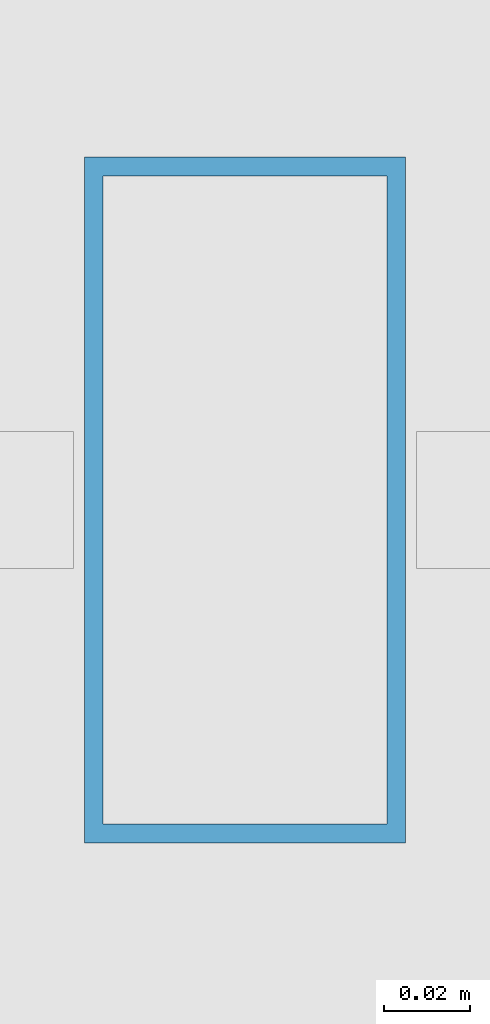
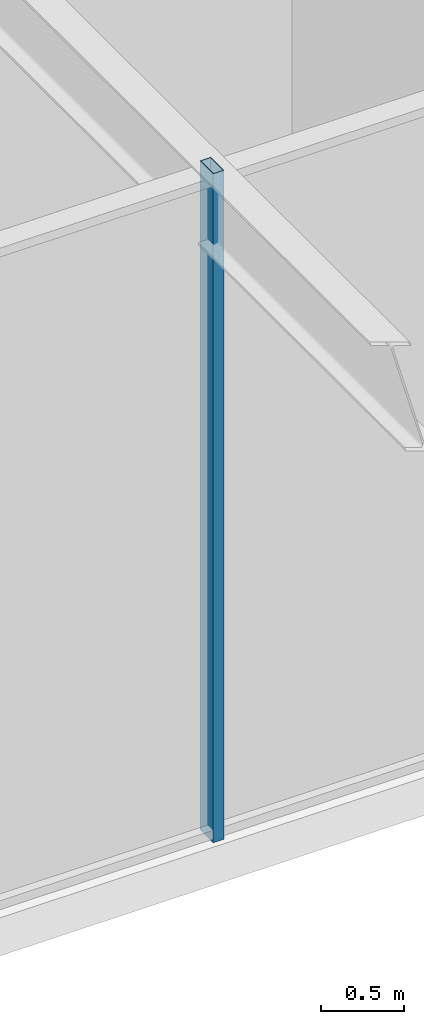
# One storey, part 12 of 49: 1 member, 1 element without a shape of its own.
"""IFC4 building model written with IfcOpenShell, lengths in metres."""

from ifc_helpers import new_model, si_unit, direction, frame, origin, origin_2d, place, context, subcontext, project, spatial, hollow_rectangle, extrude, material, material_profile, profile_set, type_object, element, aggregate, save


model = new_model("IFC4")

# Units and contexts
model_context = context("Model", 3, precision=1e-05, world=origin(), true_north=direction((0.0, 1.0)))
body_context = subcontext(model_context, "Body", "Model", "MODEL_VIEW")
ifc_project = project(units=[si_unit("LENGTHUNIT", "METRE"), si_unit("AREAUNIT", "SQUARE_METRE"), si_unit("VOLUMEUNIT", "CUBIC_METRE"), si_unit("PLANEANGLEUNIT", "RADIAN"), si_unit("MASSUNIT", "GRAM", prefix="KILO")], contexts=[model_context])

# Site, building, storey
site_placement = place(None, origin())
site = spatial("IfcSite", under=ifc_project, at=site_placement, CompositionType="ELEMENT")
building_placement = place(site_placement, origin())
building = spatial("IfcBuilding", under=site, at=building_placement, Name="Kolvaren Belvedere", CompositionType="ELEMENT")
storey_placement = place(building_placement, frame((0.0, 0.0, 10.0)))
storey = spatial("IfcBuildingStorey", under=building, at=storey_placement, Name="L03", CompositionType="ELEMENT", Elevation=10.0)

# Curtain wall, member
ifc_material_1 = material(Name="Anodised pale-metal aluminium AA 6063-T6", Category="aluminium")
curtain_wall_type = type_object("IfcCurtainWallType", Name="CW-POD-A", PredefinedType="NOTDEFINED", material=ifc_material_1)
curtain_wall_placement = place(storey_placement, origin())
curtain_wall = element("IfcCurtainWall", 1, at=curtain_wall_placement, inside=storey, type_object=curtain_wall_type, Name="L03 Unitised Curtain Wall FCW-L03-SEG3", PredefinedType="NOTDEFINED")
ifc_material_2 = material(Name="Anodised pale-metal aluminium AA 6063-T6", Category="aluminium")
ifc_material_profile = material_profile(ifc_material_2, hollow_rectangle(XDim=0.074951171875, YDim=0.159912109375, WallThickness=0.00439453125, at=origin_2d()), Name="ALU-MUL-160X75")
ifc_profile_set = profile_set([ifc_material_profile], Name="Anodised pale-metal aluminium AA 6063-T6")
member_type = type_object("IfcMemberType", Name="CW-MUL-160", PredefinedType="MULLION", material=ifc_profile_set)
member_placement = place(storey_placement, frame((0.0, -18.280029296875, 0.0), z_axis=(0.0, 0.0, 1.0), x_axis=(1.0, 0.0, 0.0)))
member = element("IfcMember", 2, at=member_placement, type_object=member_type, Name="FCW-L03-SEG3 Unitised Mullion 3", PredefinedType="MULLION", context=body_context, shape_type="SweptSolid", body=[
    extrude(hollow_rectangle(XDim=0.074951171875, YDim=0.159912109375, WallThickness=0.00439453125, at=origin_2d()), origin(), (0.0, 0.0, 1.0), 4.919921875),
])
aggregate(curtain_wall, [member])

save(model, "model.ifc")
